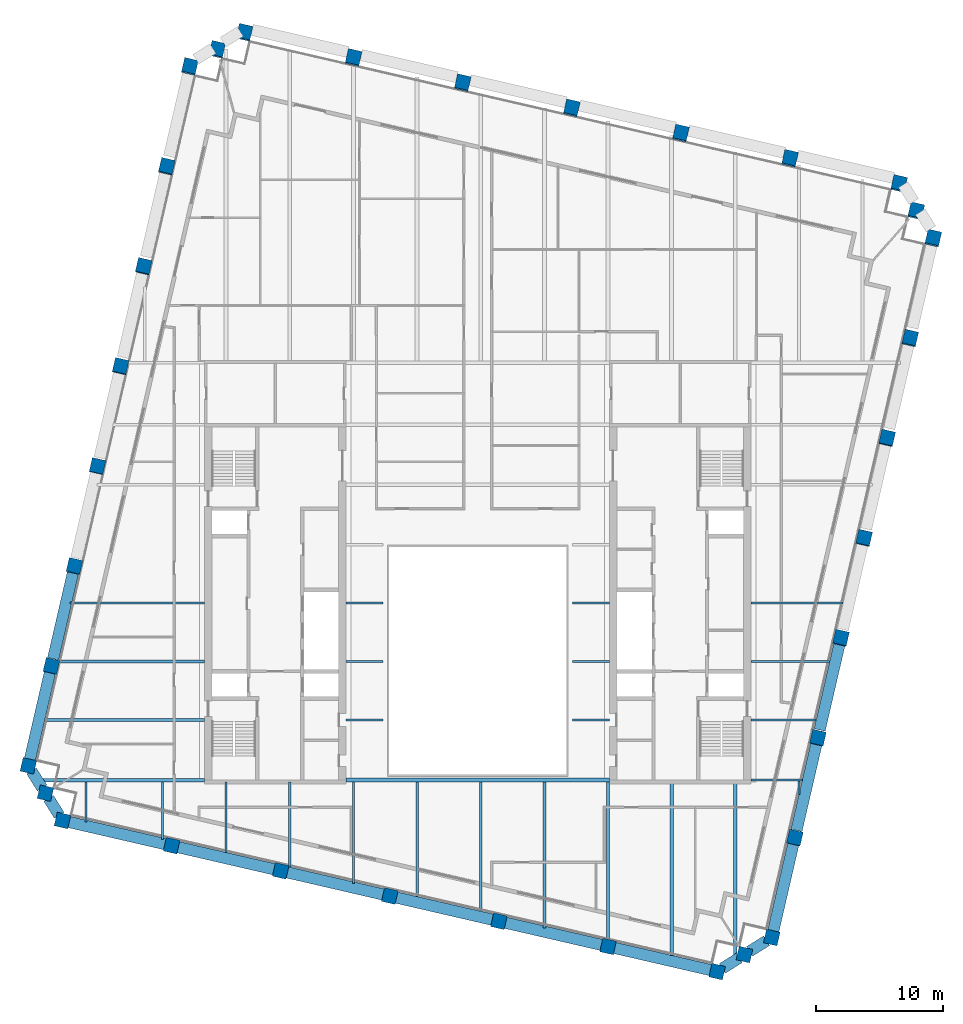
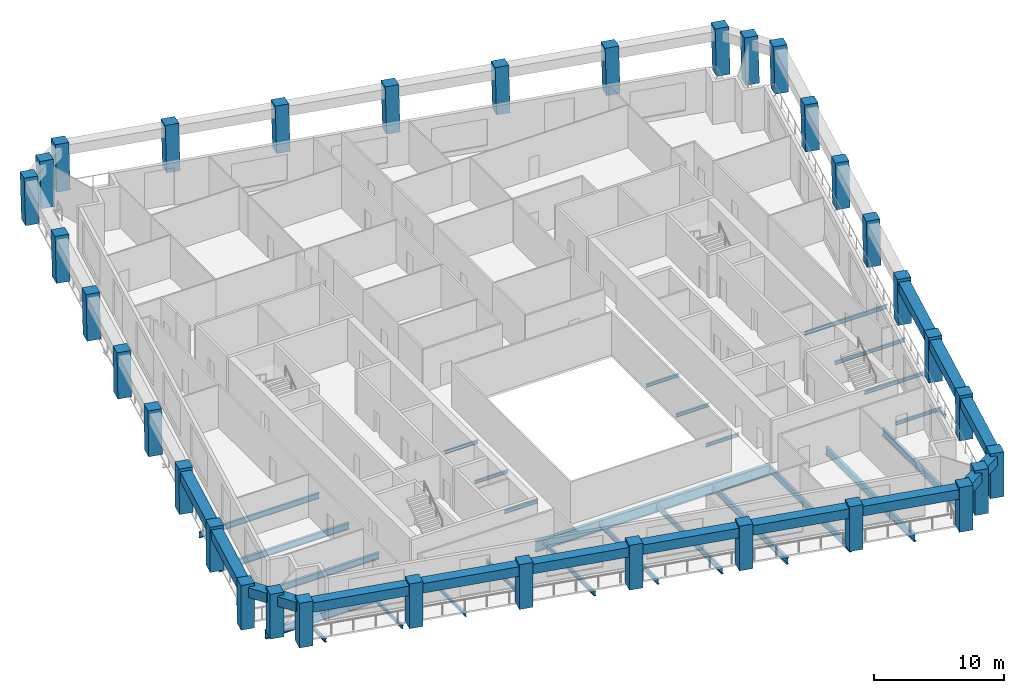
# One storey, part 1 of 11: 42 beams, 34 columns.
"""IFC4 building model written with IfcOpenShell, lengths in metres."""

from ifc_helpers import new_model, si_unit, direction, frame, origin, origin_2d, place, context, subcontext, project, spatial, rectangle, i_section, extrude, material, material_profile, profile_set, type_object, element, save


model = new_model("IFC4")

# Units and contexts
model_context = context("Model", 3, precision=1e-05, world=origin(), true_north=direction((0.0, 1.0)))
body_context = subcontext(model_context, "Body", "Model", "MODEL_VIEW")
ifc_project = project(units=[si_unit("LENGTHUNIT", "METRE"), si_unit("AREAUNIT", "SQUARE_METRE"), si_unit("VOLUMEUNIT", "CUBIC_METRE"), si_unit("PLANEANGLEUNIT", "RADIAN"), si_unit("MASSUNIT", "GRAM", prefix="KILO")], contexts=[model_context])

# Site, building, storey
site_placement = place(None, origin())
site = spatial("IfcSite", under=ifc_project, at=site_placement, CompositionType="ELEMENT")
building_placement = place(site_placement, origin())
building = spatial("IfcBuilding", under=site, at=building_placement, Name="Ogive Exchange Tower", CompositionType="ELEMENT")
storey_placement = place(building_placement, frame((0.0, 0.0, 259.800048828125)))
storey = spatial("IfcBuildingStorey", under=building, at=storey_placement, Name="L56", CompositionType="ELEMENT", Elevation=259.800048828125)

# Columns
ifc_material_1 = material(Name="Precast concrete C70/85 (limestone faced)", Category="masonry")
ifc_material_profile_1 = material_profile(ifc_material_1, rectangle(XDim=1.10009765625, YDim=1.10009765625, at=origin_2d()), Name="1100 x 1100")
ifc_profile_set_1 = profile_set([ifc_material_profile_1], Name="Precast concrete C70/85 (limestone faced)")
column_type = type_object("IfcColumnType", Name="Precast exoskeleton leg 1100 x 1100 C70/85", PredefinedType="COLUMN", material=ifc_profile_set_1)
for number, where, z_axis, x_axis, name in (
    (1, (-32.820556640625, -5.635498046875, 0.0), (0.0, 0.0, 1.0), (0.974370064785, -0.224951054344, 0.0), "Exoskeleton leg 1"),
    (2, (-24.197265625, -7.62646484375, 0.0), (0.0, 0.0, 1.0), (0.974370064785, -0.224951054344, 0.0), "Exoskeleton leg 2"),
    (3, (-15.57421875, -9.6171875, 0.0), (0.0, 0.0, 1.0), (0.974370064785, -0.224951054344, 0.0), "Exoskeleton leg 3"),
    (4, (-6.950927734375, -11.60791015625, 0.0), (0.0, 0.0, 1.0), (0.974370064785, -0.224951054344, 0.0), "Exoskeleton leg 4"),
    (5, (1.672119140625, -13.598876953125, 0.0), (0.0, 0.0, 1.0), (0.974370064785, -0.224951054344, 0.0), "Exoskeleton leg 5"),
    (6, (10.29541015625, -15.589599609375, 0.0), (0.0, 0.0, 1.0), (0.974370064785, -0.224951054344, 0.0), "Exoskeleton leg 6"),
    (7, (18.91845703125, -17.58056640625, 0.0), (0.0, 0.0, 1.0), (0.974370064785, -0.224951054344, 0.0), "Exoskeleton leg 7"),
    (8, (23.236083984375, -14.882568359375, 0.0), (0.0, 0.0, 1.0), (0.974370064785, -0.224951054344, 0.0), "Exoskeleton leg 8"),
):
    element("IfcColumn", number, at=place(storey_placement, frame(where, z_axis=z_axis, x_axis=x_axis)), inside=storey, type_object=column_type, Name=name, PredefinedType="COLUMN", context=body_context, shape_type="SweptSolid", body=[
        extrude(rectangle(XDim=1.10009765625, YDim=1.10009765625, at=origin_2d()), origin(), (0.0, 0.0, 1.0), 4.199951171875),
    ])
column_1_placement = place(storey_placement, frame((25.057373046875, -6.993896484375, 0.0), z_axis=(0.002906226325, 0.012613022249, 0.99991622925), x_axis=(-0.974466825284, 0.224531526563, 0.0)))
element("IfcColumn", 9, at=column_1_placement, inside=storey, type_object=column_type, Name="Exoskeleton leg 9", PredefinedType="COLUMN", context=body_context, shape_type="SweptSolid", body=[
    extrude(rectangle(XDim=1.10009765625, YDim=1.10009765625, at=origin_2d()), origin(), (0.0, 0.0, 1.0), 4.2001953125),
])
column_2_placement = place(storey_placement, frame((26.87841796875, 0.89453125, 0.0), z_axis=(0.005869083212, 0.025335844359, 0.999661767226), x_axis=(-0.974202561131, 0.225675363932, 0.0)))
element("IfcColumn", 10, at=column_2_placement, inside=storey, type_object=column_type, Name="Exoskeleton leg 10", PredefinedType="COLUMN", context=body_context, shape_type="SweptSolid", body=[
    extrude(rectangle(XDim=1.10009765625, YDim=1.10009765625, at=origin_2d()), origin(), (0.0, 0.0, 1.0), 4.201416015625),
])
column_3_placement = place(storey_placement, frame((28.69970703125, 8.783203125, 0.0), z_axis=(0.008770884695, 0.037929719907, 0.99924191662), x_axis=(-0.974290512438, 0.225295355862, 0.0)))
element("IfcColumn", 11, at=column_3_placement, inside=storey, type_object=column_type, Name="Exoskeleton leg 11", PredefinedType="COLUMN", context=body_context, shape_type="SweptSolid", body=[
    extrude(rectangle(XDim=1.10009765625, YDim=1.10009765625, at=origin_2d()), origin(), (0.0, 0.0, 1.0), 4.203125),
])
column_4_placement = place(storey_placement, frame((30.52099609375, 16.671875, 0.0), z_axis=(0.011668267153, 0.050562490995, 0.998652735462), x_axis=(-0.974391195695, 0.224859506699, 0.0)))
element("IfcColumn", 12, at=column_4_placement, inside=storey, type_object=column_type, Name="Exoskeleton leg 12", PredefinedType="COLUMN", context=body_context, shape_type="SweptSolid", body=[
    extrude(rectangle(XDim=1.10009765625, YDim=1.10009765625, at=origin_2d()), origin(), (0.0, 0.0, 1.0), 4.20556640625),
])
column_5_placement = place(storey_placement, frame((32.34228515625, 24.560302734375, 0.0), z_axis=(0.014559788571, 0.063169759976, 0.997896584813), x_axis=(-0.97445148511, 0.224598092528, 0.0)))
element("IfcColumn", 13, at=column_5_placement, inside=storey, type_object=column_type, Name="Exoskeleton leg 13", PredefinedType="COLUMN", context=body_context, shape_type="SweptSolid", body=[
    extrude(rectangle(XDim=1.10009765625, YDim=1.10009765625, at=origin_2d()), origin(), (0.0, 0.0, 1.0), 4.208740234375),
])
column_6_placement = place(storey_placement, frame((34.16357421875, 32.448974609375, 0.0), z_axis=(0.017444089556, 0.075687644385, 0.996978978829), x_axis=(-0.974454034257, 0.224587032398, 0.0)))
element("IfcColumn", 14, at=column_6_placement, inside=storey, type_object=column_type, Name="Exoskeleton leg 14", PredefinedType="COLUMN", context=body_context, shape_type="SweptSolid", body=[
    extrude(rectangle(XDim=1.10009765625, YDim=1.10009765625, at=origin_2d()), origin(), (0.0, 0.0, 1.0), 4.212646484375),
])
for number, where, z_axis, x_axis, name in (
    (15, (35.984619140625, 40.337646484375, 0.0), (0.020377493232, 0.0882252832, 0.995892091129), (-0.97434807649, 0.225046274885, 0.0), "Exoskeleton leg 15"),
    (16, (33.286865234375, 44.6552734375, 0.0), (0.020377597275, 0.088167842757, 0.995897175934), (-0.97431566651, 0.225186549318, 0.0), "Exoskeleton leg 16"),
    (17, (24.66357421875, 46.64599609375, 0.0), (0.020377493232, 0.0882252832, 0.995892091129), (-0.97434807649, 0.225046274885, 0.0), "Exoskeleton leg 17"),
    (18, (16.040283203125, 48.63671875, 0.0), (0.020377493232, 0.0882252832, 0.995892091129), (-0.97434807649, 0.225046274885, 0.0), "Exoskeleton leg 18"),
    (19, (7.417236328125, 50.627685546875, 0.0), (0.020377493232, 0.0882252832, 0.995892091129), (-0.97434807649, 0.225046274885, 0.0), "Exoskeleton leg 19"),
    (20, (-1.205810546875, 52.618408203125, 0.0), (0.020319626563, 0.088225387128, 0.995893264282), (-0.974488096918, 0.224439187676, 0.0), "Exoskeleton leg 20"),
    (21, (-9.8291015625, 54.609375, 0.0), (0.020377597275, 0.088167842757, 0.995897175934), (-0.97431566651, 0.225186549318, 0.0), "Exoskeleton leg 21"),
    (22, (-18.452392578125, 56.60009765625, 0.0), (0.020377493232, 0.0882252832, 0.995892091129), (-0.97434807649, 0.225046274885, 0.0), "Exoskeleton leg 22"),
    (23, (-22.769775390625, 53.902099609375, 0.0), (0.020377493232, 0.0882252832, 0.995892091129), (-0.97434807649, 0.225046274885, 0.0), "Exoskeleton leg 23"),
):
    element("IfcColumn", number, at=place(storey_placement, frame(where, z_axis=z_axis, x_axis=x_axis)), inside=storey, type_object=column_type, Name=name, PredefinedType="COLUMN", context=body_context, shape_type="SweptSolid", body=[
        extrude(rectangle(XDim=1.10009765625, YDim=1.10009765625, at=origin_2d()), origin(), (0.0, 0.0, 1.0), 4.21728515625),
    ])
column_7_placement = place(storey_placement, frame((-24.591064453125, 46.013671875, 0.0), z_axis=(0.017502025619, 0.075687567741, 0.996977969259), x_axis=(-0.974290512438, 0.225295355862, 0.0)))
element("IfcColumn", 24, at=column_7_placement, inside=storey, type_object=column_type, Name="Exoskeleton leg 24", PredefinedType="COLUMN", context=body_context, shape_type="SweptSolid", body=[
    extrude(rectangle(XDim=1.10009765625, YDim=1.10009765625, at=origin_2d()), origin(), (0.0, 0.0, 1.0), 4.212646484375),
])
column_8_placement = place(storey_placement, frame((-26.412353515625, 38.125, 0.0), z_axis=(0.014617836866, 0.063111930596, 0.997899395261), x_axis=(-0.974209784844, 0.225644178107, 0.0)))
element("IfcColumn", 25, at=column_8_placement, inside=storey, type_object=column_type, Name="Exoskeleton leg 25", PredefinedType="COLUMN", context=body_context, shape_type="SweptSolid", body=[
    extrude(rectangle(XDim=1.10009765625, YDim=1.10009765625, at=origin_2d()), origin(), (0.0, 0.0, 1.0), 4.208740234375),
])
column_9_placement = place(storey_placement, frame((-28.2333984375, 30.236328125, 0.0), z_axis=(0.011668267153, 0.050562490995, 0.998652735462), x_axis=(-0.974391195695, 0.224859506699, 0.0)))
element("IfcColumn", 26, at=column_9_placement, inside=storey, type_object=column_type, Name="Exoskeleton leg 26", PredefinedType="COLUMN", context=body_context, shape_type="SweptSolid", body=[
    extrude(rectangle(XDim=1.10009765625, YDim=1.10009765625, at=origin_2d()), origin(), (0.0, 0.0, 1.0), 4.20556640625),
])
column_10_placement = place(storey_placement, frame((-30.0546875, 22.347900390625, 0.0), z_axis=(0.008770904004, 0.037871717951, 0.999244116431), x_axis=(-0.974214614928, 0.225623323396, 0.0)))
element("IfcColumn", 27, at=column_10_placement, inside=storey, type_object=column_type, Name="Exoskeleton leg 27", PredefinedType="COLUMN", context=body_context, shape_type="SweptSolid", body=[
    extrude(rectangle(XDim=1.10009765625, YDim=1.10009765625, at=origin_2d()), origin(), (0.0, 0.0, 1.0), 4.203125),
])
column_11_placement = place(storey_placement, frame((-31.8759765625, 14.459228515625, 0.0), z_axis=(0.005869091843, 0.025277771797, 0.999663237302), x_axis=(-0.974088391429, 0.226167649504, 0.0)))
element("IfcColumn", 28, at=column_11_placement, inside=storey, type_object=column_type, Name="Exoskeleton leg 28", PredefinedType="COLUMN", context=body_context, shape_type="SweptSolid", body=[
    extrude(rectangle(XDim=1.10009765625, YDim=1.10009765625, at=origin_2d()), origin(), (0.0, 0.0, 1.0), 4.201416015625),
])
column_12_placement = place(storey_placement, frame((-33.697265625, 6.570556640625, 0.0), z_axis=(0.002964348167, 0.012671135303, 0.9999153239), x_axis=(-0.973709261374, 0.227794368487, 0.0)))
element("IfcColumn", 29, at=column_12_placement, inside=storey, type_object=column_type, Name="Exoskeleton leg 29", PredefinedType="COLUMN", context=body_context, shape_type="SweptSolid", body=[
    extrude(rectangle(XDim=1.10009765625, YDim=1.10009765625, at=origin_2d()), origin(), (0.0, 0.0, 1.0), 4.2001953125),
])
for number, where, z_axis, x_axis, name in (
    (30, (-35.518310546875, -1.318115234375, 0.0), (0.0, 0.0, 1.0), (0.974370064785, -0.224951054344, 0.0), "Exoskeleton leg 30"),
    (31, (21.077392578125, -16.2314453125, 0.0), (0.0, 0.0, 1.0), (0.974370064785, -0.224951054344, 0.0), "Exoskeleton leg 31"),
):
    element("IfcColumn", number, at=place(storey_placement, frame(where, z_axis=z_axis, x_axis=x_axis)), inside=storey, type_object=column_type, Name=name, PredefinedType="COLUMN", context=body_context, shape_type="SweptSolid", body=[
        extrude(rectangle(XDim=1.10009765625, YDim=1.10009765625, at=origin_2d()), origin(), (0.0, 0.0, 1.0), 4.199951171875),
    ])
for number, where, z_axis, x_axis, name in (
    (32, (34.6357421875, 42.496337890625, 0.0), (0.020377493232, 0.0882252832, 0.995892091129), (-0.97434807649, 0.225046274885, 0.0), "Exoskeleton leg 32"),
    (33, (-20.611083984375, 55.251220703125, 0.0), (0.020377493232, 0.0882252832, 0.995892091129), (-0.97434807649, 0.225046274885, 0.0), "Exoskeleton leg 33"),
):
    element("IfcColumn", number, at=place(storey_placement, frame(where, z_axis=z_axis, x_axis=x_axis)), inside=storey, type_object=column_type, Name=name, PredefinedType="COLUMN", context=body_context, shape_type="SweptSolid", body=[
        extrude(rectangle(XDim=1.10009765625, YDim=1.10009765625, at=origin_2d()), origin(), (0.0, 0.0, 1.0), 4.21728515625),
    ])
column_13_placement = place(storey_placement, frame((-34.16943359375, -3.476806640625, 0.0), z_axis=(0.0, 0.0, 1.0), x_axis=(0.974370064785, -0.224951054344, 0.0)))
element("IfcColumn", 34, at=column_13_placement, inside=storey, type_object=column_type, Name="Exoskeleton leg 34", PredefinedType="COLUMN", context=body_context, shape_type="SweptSolid", body=[
    extrude(rectangle(XDim=1.10009765625, YDim=1.10009765625, at=origin_2d()), origin(), (0.0, 0.0, 1.0), 4.199951171875),
])

# Beams
ifc_material_2 = material(Name="Steel ASTM A992 Gr50", Category="steel")
ifc_material_profile_2 = material_profile(ifc_material_2, i_section(OverallWidth=0.1650390625, OverallDepth=0.31005859375, WebThickness=0.005859375, FlangeThickness=0.009765625, at=origin_2d()), Name="W310x38.7")
ifc_profile_set_2 = profile_set([ifc_material_profile_2], Name="Steel ASTM A992 Gr50")
beam_type_1 = type_object("IfcBeamType", Name="Floor beam W310x38.7", PredefinedType="JOIST", material=ifc_profile_set_2)
for number, where, z_axis, x_axis, name in (
    (35, (-10.419921875, 2.3212890625, -0.35498046875), (1.0, 0.0, 0.0), (0.0, 1.0, 0.0), "Floor beam"),
    (36, (7.469970703125, 2.3212890625, -0.35498046875), (1.0, 0.0, 0.0), (0.0, 1.0, 0.0), "Floor beam"),
):
    element("IfcBeam", number, at=place(storey_placement, frame(where, z_axis=z_axis, x_axis=x_axis)), inside=storey, type_object=beam_type_1, Name=name, PredefinedType="JOIST", context=body_context, shape_type="SweptSolid", body=[
        extrude(i_section(OverallWidth=0.1650390625, OverallDepth=0.31005859375, WebThickness=0.005859375, FlangeThickness=0.009765625, at=origin_2d()), origin(), (0.0, 0.0, 1.0), 2.949951171875),
    ])
beam_1_placement = place(storey_placement, frame((21.580078125, 2.3212890625, -0.35498046875), z_axis=(1.0, 0.0, 0.0), x_axis=(0.0, 1.0, 0.0)))
element("IfcBeam", 37, at=beam_1_placement, inside=storey, type_object=beam_type_1, Name="Floor beam", PredefinedType="JOIST", context=body_context, shape_type="SweptSolid", body=[
    extrude(i_section(OverallWidth=0.1650390625, OverallDepth=0.31005859375, WebThickness=0.005859375, FlangeThickness=0.009765625, at=origin_2d()), origin(), (0.0, 0.0, 1.0), 5.166015625),
])
for number, where, z_axis, x_axis, name in (
    (38, (-10.419921875, 6.9326171875, -0.35498046875), (1.0, 0.0, 0.0), (0.0, 1.0, 0.0), "Floor beam"),
    (39, (7.469970703125, 6.9326171875, -0.35498046875), (1.0, 0.0, 0.0), (0.0, 1.0, 0.0), "Floor beam"),
):
    element("IfcBeam", number, at=place(storey_placement, frame(where, z_axis=z_axis, x_axis=x_axis)), inside=storey, type_object=beam_type_1, Name=name, PredefinedType="JOIST", context=body_context, shape_type="SweptSolid", body=[
        extrude(i_section(OverallWidth=0.1650390625, OverallDepth=0.31005859375, WebThickness=0.005859375, FlangeThickness=0.009765625, at=origin_2d()), origin(), (0.0, 0.0, 1.0), 2.949951171875),
    ])
beam_2_placement = place(storey_placement, frame((21.580078125, 6.9326171875, -0.35498046875), z_axis=(1.0, 0.0, 0.0), x_axis=(0.0, 1.0, 0.0)))
element("IfcBeam", 40, at=beam_2_placement, inside=storey, type_object=beam_type_1, Name="Floor beam", PredefinedType="JOIST", context=body_context, shape_type="SweptSolid", body=[
    extrude(i_section(OverallWidth=0.1650390625, OverallDepth=0.31005859375, WebThickness=0.005859375, FlangeThickness=0.009765625, at=origin_2d()), origin(), (0.0, 0.0, 1.0), 6.230712890625),
])
for number, where, z_axis, x_axis, name in (
    (41, (-10.419921875, 11.543701171875, -0.35498046875), (1.0, 0.0, 0.0), (0.0, 1.0, 0.0), "Floor beam"),
    (42, (7.469970703125, 11.543701171875, -0.35498046875), (1.0, 0.0, 0.0), (0.0, 1.0, 0.0), "Floor beam"),
):
    element("IfcBeam", number, at=place(storey_placement, frame(where, z_axis=z_axis, x_axis=x_axis)), inside=storey, type_object=beam_type_1, Name=name, PredefinedType="JOIST", context=body_context, shape_type="SweptSolid", body=[
        extrude(i_section(OverallWidth=0.1650390625, OverallDepth=0.31005859375, WebThickness=0.005859375, FlangeThickness=0.009765625, at=origin_2d()), origin(), (0.0, 0.0, 1.0), 2.949951171875),
    ])
beam_3_placement = place(storey_placement, frame((-30.948486328125, -5.755859375, -0.35498046875), z_axis=(0.0, 1.0, 0.0), x_axis=(-1.0, 0.0, 0.0)))
element("IfcBeam", 43, at=beam_3_placement, inside=storey, type_object=beam_type_1, Name="Floor beam", PredefinedType="JOIST", context=body_context, shape_type="SweptSolid", body=[
    extrude(i_section(OverallWidth=0.1650390625, OverallDepth=0.31005859375, WebThickness=0.005859375, FlangeThickness=0.009765625, at=origin_2d()), origin(), (0.0, 0.0, 1.0), 3.17724609375),
])
beam_4_placement = place(storey_placement, frame((-24.918212890625, -7.148193359375, -0.35498046875), z_axis=(0.0, 1.0, 0.0), x_axis=(-1.0, 0.0, 0.0)))
element("IfcBeam", 44, at=beam_4_placement, inside=storey, type_object=beam_type_1, Name="Floor beam", PredefinedType="JOIST", context=body_context, shape_type="SweptSolid", body=[
    extrude(i_section(OverallWidth=0.1650390625, OverallDepth=0.31005859375, WebThickness=0.005859375, FlangeThickness=0.009765625, at=origin_2d()), origin(), (0.0, 0.0, 1.0), 4.569580078125),
])
beam_5_placement = place(storey_placement, frame((-19.887939453125, -8.159423828125, -0.35498046875), z_axis=(0.0, 1.0, 0.0), x_axis=(-1.0, 0.0, 0.0)))
element("IfcBeam", 45, at=beam_5_placement, inside=storey, type_object=beam_type_1, Name="Floor beam", PredefinedType="JOIST", context=body_context, shape_type="SweptSolid", body=[
    extrude(i_section(OverallWidth=0.1650390625, OverallDepth=0.31005859375, WebThickness=0.005859375, FlangeThickness=0.009765625, at=origin_2d()), origin(), (0.0, 0.0, 1.0), 5.559326171875),
])
beam_6_placement = place(storey_placement, frame((25.384521484375, -3.57666015625, -0.35498046875), z_axis=(0.0, 1.0, 0.0), x_axis=(-1.0, 0.0, 0.0)))
element("IfcBeam", 46, at=beam_6_placement, inside=storey, type_object=beam_type_1, Name="Floor beam", PredefinedType="JOIST", context=body_context, shape_type="SweptSolid", body=[
    extrude(i_section(OverallWidth=0.1650390625, OverallDepth=0.31005859375, WebThickness=0.005859375, FlangeThickness=0.009765625, at=origin_2d()), origin(), (0.0, 0.0, 1.0), 1.049072265625),
])
ifc_material_profile_3 = material_profile(ifc_material_2, i_section(OverallWidth=0.1708984375, OverallDepth=0.35595703125, WebThickness=0.00732421875, FlangeThickness=0.01171875, at=origin_2d()), Name="W360x51")
ifc_profile_set_3 = profile_set([ifc_material_profile_3], Name="Steel ASTM A992 Gr50")
beam_type_2 = type_object("IfcBeamType", Name="Floor beam W360x51", PredefinedType="JOIST", material=ifc_profile_set_3)
beam_7_placement = place(storey_placement, frame((21.580078125, 11.543701171875, -0.3779296875), z_axis=(1.0, 0.0, 0.0), x_axis=(0.0, 1.0, 0.0)))
element("IfcBeam", 47, at=beam_7_placement, inside=storey, type_object=beam_type_2, Name="Floor beam", PredefinedType="JOIST", context=body_context, shape_type="SweptSolid", body=[
    extrude(i_section(OverallWidth=0.1708984375, OverallDepth=0.35595703125, WebThickness=0.00732421875, FlangeThickness=0.01171875, at=origin_2d()), origin(), (0.0, 0.0, 1.0), 7.295166015625),
])
beam_8_placement = place(storey_placement, frame((-14.857666015625, -9.32080078125, -0.3779296875), z_axis=(0.0, 1.0, 0.0), x_axis=(-1.0, 0.0, 0.0)))
element("IfcBeam", 48, at=beam_8_placement, inside=storey, type_object=beam_type_2, Name="Floor beam", PredefinedType="JOIST", context=body_context, shape_type="SweptSolid", body=[
    extrude(i_section(OverallWidth=0.1708984375, OverallDepth=0.35595703125, WebThickness=0.00732421875, FlangeThickness=0.01171875, at=origin_2d()), origin(), (0.0, 0.0, 1.0), 6.720703125),
])
ifc_material_profile_4 = material_profile(ifc_material_2, i_section(OverallWidth=0.177978515625, OverallDepth=0.406005859375, WebThickness=0.0078125, FlangeThickness=0.0126953125, at=origin_2d()), Name="W410x60")
ifc_profile_set_4 = profile_set([ifc_material_profile_4], Name="Steel ASTM A992 Gr50")
beam_type_3 = type_object("IfcBeamType", Name="Floor beam W410x60", PredefinedType="JOIST", material=ifc_profile_set_4)
beam_9_placement = place(storey_placement, frame((-9.827392578125, -10.632080078125, -0.403076171875), z_axis=(0.0, 1.0, 0.0), x_axis=(-1.0, 0.0, 0.0)))
element("IfcBeam", 49, at=beam_9_placement, inside=storey, type_object=beam_type_3, Name="Floor beam", PredefinedType="JOIST", context=body_context, shape_type="SweptSolid", body=[
    extrude(i_section(OverallWidth=0.177978515625, OverallDepth=0.406005859375, WebThickness=0.0078125, FlangeThickness=0.0126953125, at=origin_2d()), origin(), (0.0, 0.0, 1.0), 8.037109375),
])
ifc_material_profile_5 = material_profile(ifc_material_2, i_section(OverallWidth=0.19091796875, OverallDepth=0.45703125, WebThickness=0.009033203125, FlangeThickness=0.014404296875, at=origin_2d()), Name="W460x74")
ifc_profile_set_5 = profile_set([ifc_material_profile_5], Name="Steel ASTM A992 Gr50")
beam_type_4 = type_object("IfcBeamType", Name="Floor beam W460x74", PredefinedType="JOIST", material=ifc_profile_set_5)
beam_10_placement = place(storey_placement, frame((-4.797119140625, -11.6435546875, -0.428466796875), z_axis=(0.0, 1.0, 0.0), x_axis=(-1.0, 0.0, 0.0)))
element("IfcBeam", 50, at=beam_10_placement, inside=storey, type_object=beam_type_4, Name="Floor beam", PredefinedType="JOIST", context=body_context, shape_type="SweptSolid", body=[
    extrude(i_section(OverallWidth=0.19091796875, OverallDepth=0.45703125, WebThickness=0.009033203125, FlangeThickness=0.014404296875, at=origin_2d()), origin(), (0.0, 0.0, 1.0), 9.048583984375),
])
ifc_material_profile_6 = material_profile(ifc_material_2, i_section(OverallWidth=0.1669921875, OverallDepth=0.535888671875, WebThickness=0.01025390625, FlangeThickness=0.0166015625, at=origin_2d()), Name="W530x85")
ifc_profile_set_6 = profile_set([ifc_material_profile_6], Name="Steel ASTM A992 Gr50")
beam_type_5 = type_object("IfcBeamType", Name="Floor beam W530x85", PredefinedType="JOIST", material=ifc_profile_set_6)
beam_11_placement = place(storey_placement, frame((-32.2373046875, 11.543701171875, -0.468017578125), z_axis=(1.0, 0.0, 0.0), x_axis=(0.0, 1.0, 0.0)))
element("IfcBeam", 51, at=beam_11_placement, inside=storey, type_object=beam_type_5, Name="Floor beam", PredefinedType="JOIST", context=body_context, shape_type="SweptSolid", body=[
    extrude(i_section(OverallWidth=0.1669921875, OverallDepth=0.535888671875, WebThickness=0.01025390625, FlangeThickness=0.0166015625, at=origin_2d()), origin(), (0.0, 0.0, 1.0), 10.6572265625),
])
beam_12_placement = place(storey_placement, frame((0.233154296875, -12.8046875, -0.468017578125), z_axis=(0.0, 1.0, 0.0), x_axis=(-1.0, 0.0, 0.0)))
element("IfcBeam", 52, at=beam_12_placement, inside=storey, type_object=beam_type_5, Name="Floor beam", PredefinedType="JOIST", context=body_context, shape_type="SweptSolid", body=[
    extrude(i_section(OverallWidth=0.1669921875, OverallDepth=0.535888671875, WebThickness=0.01025390625, FlangeThickness=0.0166015625, at=origin_2d()), origin(), (0.0, 0.0, 1.0), 10.209716796875),
])
ifc_material_profile_7 = material_profile(ifc_material_2, i_section(OverallWidth=0.22802734375, OverallDepth=0.60205078125, WebThickness=0.010498046875, FlangeThickness=0.014892578125, at=origin_2d()), Name="W610x101")
ifc_profile_set_7 = profile_set([ifc_material_profile_7], Name="Steel ASTM A992 Gr50")
beam_type_6 = type_object("IfcBeamType", Name="Floor beam W610x101", PredefinedType="JOIST", material=ifc_profile_set_7)
beam_13_placement = place(storey_placement, frame((-34.21630859375, 2.3212890625, -0.5009765625), z_axis=(1.0, 0.0, 0.0), x_axis=(0.0, 1.0, 0.0)))
element("IfcBeam", 53, at=beam_13_placement, inside=storey, type_object=beam_type_6, Name="Floor beam", PredefinedType="JOIST", context=body_context, shape_type="SweptSolid", body=[
    extrude(i_section(OverallWidth=0.22802734375, OverallDepth=0.60205078125, WebThickness=0.010498046875, FlangeThickness=0.014892578125, at=origin_2d()), origin(), (0.0, 0.0, 1.0), 12.63623046875),
])
beam_14_placement = place(storey_placement, frame((-33.15185546875, 6.9326171875, -0.5009765625), z_axis=(1.0, 0.0, 0.0), x_axis=(0.0, 1.0, 0.0)))
element("IfcBeam", 54, at=beam_14_placement, inside=storey, type_object=beam_type_6, Name="Floor beam", PredefinedType="JOIST", context=body_context, shape_type="SweptSolid", body=[
    extrude(i_section(OverallWidth=0.22802734375, OverallDepth=0.60205078125, WebThickness=0.010498046875, FlangeThickness=0.014892578125, at=origin_2d()), origin(), (0.0, 0.0, 1.0), 11.57177734375),
])
beam_15_placement = place(storey_placement, frame((5.263427734375, -14.1162109375, -0.5009765625), z_axis=(0.0, 1.0, 0.0), x_axis=(-1.0, 0.0, 0.0)))
element("IfcBeam", 55, at=beam_15_placement, inside=storey, type_object=beam_type_6, Name="Floor beam", PredefinedType="JOIST", context=body_context, shape_type="SweptSolid", body=[
    extrude(i_section(OverallWidth=0.22802734375, OverallDepth=0.60205078125, WebThickness=0.010498046875, FlangeThickness=0.014892578125, at=origin_2d()), origin(), (0.0, 0.0, 1.0), 11.521240234375),
])
beam_16_placement = place(storey_placement, frame((10.293701171875, -15.12744140625, -0.5009765625), z_axis=(0.0, 1.0, 0.0), x_axis=(-1.0, 0.0, 0.0)))
element("IfcBeam", 56, at=beam_16_placement, inside=storey, type_object=beam_type_6, Name="Floor beam", PredefinedType="JOIST", context=body_context, shape_type="SweptSolid", body=[
    extrude(i_section(OverallWidth=0.22802734375, OverallDepth=0.60205078125, WebThickness=0.010498046875, FlangeThickness=0.014892578125, at=origin_2d()), origin(), (0.0, 0.0, 1.0), 12.532470703125),
])
ifc_material_profile_8 = material_profile(ifc_material_2, i_section(OverallWidth=0.25390625, OverallDepth=0.677978515625, WebThickness=0.01171875, FlangeThickness=0.016357421875, at=origin_2d()), Name="W690x125")
ifc_profile_set_8 = profile_set([ifc_material_profile_8], Name="Steel ASTM A992 Gr50")
beam_type_7 = type_object("IfcBeamType", Name="Floor beam W690x125", PredefinedType="JOIST", material=ifc_profile_set_8)
beam_17_placement = place(storey_placement, frame((15.323974609375, -16.288818359375, -0.5390625), z_axis=(0.0, 1.0, 0.0), x_axis=(-1.0, 0.0, 0.0)))
element("IfcBeam", 57, at=beam_17_placement, inside=storey, type_object=beam_type_7, Name="Floor beam", PredefinedType="JOIST", context=body_context, shape_type="SweptSolid", body=[
    extrude(i_section(OverallWidth=0.25390625, OverallDepth=0.677978515625, WebThickness=0.01171875, FlangeThickness=0.016357421875, at=origin_2d()), origin(), (0.0, 0.0, 1.0), 13.688720703125),
])
beam_18_placement = place(storey_placement, frame((20.354248046875, -16.302734375, -0.5390625), z_axis=(0.0, 1.0, 0.0), x_axis=(-1.0, 0.0, 0.0)))
element("IfcBeam", 58, at=beam_18_placement, inside=storey, type_object=beam_type_7, Name="Floor beam", PredefinedType="JOIST", context=body_context, shape_type="SweptSolid", body=[
    extrude(i_section(OverallWidth=0.25390625, OverallDepth=0.677978515625, WebThickness=0.01171875, FlangeThickness=0.016357421875, at=origin_2d()), origin(), (0.0, 0.0, 1.0), 13.70263671875),
])
ifc_material_profile_9 = material_profile(ifc_material_2, i_section(OverallWidth=0.300048828125, OverallDepth=0.97998046875, WebThickness=0.0166015625, FlangeThickness=0.026123046875, at=origin_2d()), Name="W1000x249")
ifc_profile_set_9 = profile_set([ifc_material_profile_9], Name="Steel ASTM A992 Gr50")
beam_type_8 = type_object("IfcBeamType", Name="Girder W1000x249", PredefinedType="BEAM", material=ifc_profile_set_9)
beam_19_placement = place(storey_placement, frame((-10.419921875, -2.445068359375, -0.68994140625), z_axis=(1.0, 0.0, 0.0), x_axis=(0.0, 1.0, 0.0)))
element("IfcBeam", 59, at=beam_19_placement, inside=storey, type_object=beam_type_8, Name="Header girder", PredefinedType="BEAM", context=body_context, shape_type="SweptSolid", body=[
    extrude(i_section(OverallWidth=0.300048828125, OverallDepth=0.97998046875, WebThickness=0.0166015625, FlangeThickness=0.026123046875, at=origin_2d()), origin(), (0.0, 0.0, 1.0), 20.83984375),
])
ifc_material_profile_10 = material_profile(ifc_material_2, i_section(OverallWidth=0.1650390625, OverallDepth=0.31005859375, WebThickness=0.005859375, FlangeThickness=0.009765625, at=origin_2d()), Name="W310x38.7")
ifc_profile_set_10 = profile_set([ifc_material_profile_10], Name="Steel ASTM A992 Gr50")
beam_type_9 = type_object("IfcBeamType", Name="Girder W310x38.7", PredefinedType="BEAM", material=ifc_profile_set_10)
beam_20_placement = place(storey_placement, frame((21.580078125, -2.445068359375, -0.35498046875), z_axis=(1.0, 0.0, 0.0), x_axis=(0.0, 1.0, 0.0)))
element("IfcBeam", 60, at=beam_20_placement, inside=storey, type_object=beam_type_9, Name="Header girder", PredefinedType="BEAM", context=body_context, shape_type="SweptSolid", body=[
    extrude(i_section(OverallWidth=0.1650390625, OverallDepth=0.31005859375, WebThickness=0.005859375, FlangeThickness=0.009765625, at=origin_2d()), origin(), (0.0, 0.0, 1.0), 4.065673828125),
])
ifc_material_profile_11 = material_profile(ifc_material_2, i_section(OverallWidth=0.26708984375, OverallDepth=0.75390625, WebThickness=0.01318359375, FlangeThickness=0.01708984375, at=origin_2d()), Name="W760x147")
ifc_profile_set_11 = profile_set([ifc_material_profile_11], Name="Steel ASTM A992 Gr50")
beam_type_10 = type_object("IfcBeamType", Name="Girder W760x147", PredefinedType="BEAM", material=ifc_profile_set_11)
beam_21_placement = place(storey_placement, frame((-34.43359375, -2.445068359375, -0.5771484375), z_axis=(1.0, 0.0, 0.0), x_axis=(0.0, 1.0, 0.0)))
element("IfcBeam", 61, at=beam_21_placement, inside=storey, type_object=beam_type_10, Name="Header girder", PredefinedType="BEAM", context=body_context, shape_type="SweptSolid", body=[
    extrude(i_section(OverallWidth=0.26708984375, OverallDepth=0.75390625, WebThickness=0.01318359375, FlangeThickness=0.01708984375, at=origin_2d()), origin(), (0.0, 0.0, 1.0), 12.853515625),
])
ifc_material_profile_12 = material_profile(ifc_material_1, rectangle(XDim=0.89990234375, YDim=0.89990234375, at=origin_2d()), Name="900 x 900")
ifc_profile_set_12 = profile_set([ifc_material_profile_12], Name="Precast concrete C70/85 (limestone faced)")
beam_type_11 = type_object("IfcBeamType", Name="Precast spandrel 900 x 900 C70/85", PredefinedType="SPANDREL", material=ifc_profile_set_12)
for number, where, z_axis, x_axis, name in (
    (62, (-32.30419921875, -5.7548828125, 3.5), (0.974374818602, -0.224930462307, 0.0), (0.224930462307, 0.974374818602, 0.0), "Spandrel 1"),
    (63, (-23.680908203125, -7.74560546875, 3.5), (0.974367949416, -0.224960216819, 0.0), (0.224960216819, 0.974367949416, 0.0), "Spandrel 2"),
    (64, (-15.0576171875, -9.736328125, 3.5), (0.974367949416, -0.224960216819, 0.0), (0.224960216819, 0.974367949416, 0.0), "Spandrel 3"),
    (65, (-6.4345703125, -11.727294921875, 3.5), (0.974374818602, -0.224930462307, 0.0), (0.224930462307, 0.974374818602, 0.0), "Spandrel 4"),
):
    element("IfcBeam", number, at=place(storey_placement, frame(where, z_axis=z_axis, x_axis=x_axis)), inside=storey, type_object=beam_type_11, Name=name, PredefinedType="SPANDREL", context=body_context, shape_type="SweptSolid", body=[
        extrude(rectangle(XDim=0.89990234375, YDim=0.89990234375, at=origin_2d()), origin(), (0.0, 0.0, 1.0), 7.7900390625),
    ])
beam_22_placement = place(storey_placement, frame((2.188720703125, -13.718017578125, 3.5), z_axis=(0.974366363305, -0.224967086616, 0.0), x_axis=(0.224967086616, 0.974366363305, 0.0)))
element("IfcBeam", 66, at=beam_22_placement, inside=storey, type_object=beam_type_11, Name="Spandrel 5", PredefinedType="SPANDREL", context=body_context, shape_type="SweptSolid", body=[
    extrude(rectangle(XDim=0.89990234375, YDim=0.89990234375, at=origin_2d()), origin(), (0.0, 0.0, 1.0), 7.789794921875),
])
beam_23_placement = place(storey_placement, frame((10.811767578125, -15.708984375, 3.5), z_axis=(0.974374818602, -0.224930462307, 0.0), x_axis=(0.224930462307, 0.974374818602, 0.0)))
element("IfcBeam", 67, at=beam_23_placement, inside=storey, type_object=beam_type_11, Name="Spandrel 6", PredefinedType="SPANDREL", context=body_context, shape_type="SweptSolid", body=[
    extrude(rectangle(XDim=0.89990234375, YDim=0.89990234375, at=origin_2d()), origin(), (0.0, 0.0, 1.0), 7.7900390625),
])
for number, where, z_axis, x_axis, name in (
    (68, (19.32373046875, -17.327392578125, 3.5), (0.84798967817, 0.53001274109, 0.0), (-0.53001274109, 0.84798967817, 0.0), "Spandrel 7"),
    (69, (21.482421875, -15.978271484375, 3.5), (0.848058683477, 0.529902320601, 0.0), (-0.529902320601, 0.848058683477, 0.0), "Spandrel 8"),
):
    element("IfcBeam", number, at=place(storey_placement, frame(where, z_axis=z_axis, x_axis=x_axis)), inside=storey, type_object=beam_type_11, Name=name, PredefinedType="SPANDREL", context=body_context, shape_type="SweptSolid", body=[
        extrude(rectangle(XDim=0.89990234375, YDim=0.89990234375, at=origin_2d()), origin(), (0.0, 0.0, 1.0), 1.590087890625),
    ])
for number, where, z_axis, x_axis, name in (
    (70, (23.355224609375, -14.3662109375, 3.5), (0.224972663501, 0.974365075666, 0.0), (-0.974365075666, 0.224972663501, 0.0), "Spandrel 9"),
    (71, (25.188720703125, -6.42431640625, 3.5), (0.224972663501, 0.974365075666, 0.0), (-0.974365075666, 0.224972663501, 0.0), "Spandrel 10"),
    (72, (27.022216796875, 1.517333984375, 3.5), (0.224972663501, 0.974365075666, 0.0), (-0.974365075666, 0.224972663501, 0.0), "Spandrel 11"),
):
    element("IfcBeam", number, at=place(storey_placement, frame(where, z_axis=z_axis, x_axis=x_axis)), inside=storey, type_object=beam_type_11, Name=name, PredefinedType="SPANDREL", context=body_context, shape_type="SweptSolid", body=[
        extrude(rectangle(XDim=0.89990234375, YDim=0.89990234375, at=origin_2d()), origin(), (0.0, 0.0, 1.0), 7.0908203125),
    ])
for number, where, z_axis, x_axis, name in (
    (73, (-31.970703125, 14.049072265625, 3.5), (-0.224939974693, -0.974372622658, 0.0), (0.974372622658, -0.224939974693, 0.0), "Spandrel 31"),
    (74, (-33.80419921875, 6.107421875, 3.5), (-0.224939974693, -0.974372622658, 0.0), (0.974372622658, -0.224939974693, 0.0), "Spandrel 32"),
):
    element("IfcBeam", number, at=place(storey_placement, frame(where, z_axis=z_axis, x_axis=x_axis)), inside=storey, type_object=beam_type_11, Name=name, PredefinedType="SPANDREL", context=body_context, shape_type="SweptSolid", body=[
        extrude(rectangle(XDim=0.89990234375, YDim=0.89990234375, at=origin_2d()), origin(), (0.0, 0.0, 1.0), 7.090576171875),
    ])
for number, where, z_axis, x_axis, name in (
    (75, (-35.26513671875, -1.72314453125, 3.5), (0.529902320601, -0.848058683477, 0.0), (0.848058683477, 0.529902320601, 0.0), "Spandrel 33"),
    (76, (-33.916259765625, -3.882080078125, 3.5), (0.529902320601, -0.848058683477, 0.0), (0.848058683477, 0.529902320601, 0.0), "Spandrel 34"),
):
    element("IfcBeam", number, at=place(storey_placement, frame(where, z_axis=z_axis, x_axis=x_axis)), inside=storey, type_object=beam_type_11, Name=name, PredefinedType="SPANDREL", context=body_context, shape_type="SweptSolid", body=[
        extrude(rectangle(XDim=0.89990234375, YDim=0.89990234375, at=origin_2d()), origin(), (0.0, 0.0, 1.0), 1.590087890625),
    ])

save(model, "model.ifc")
